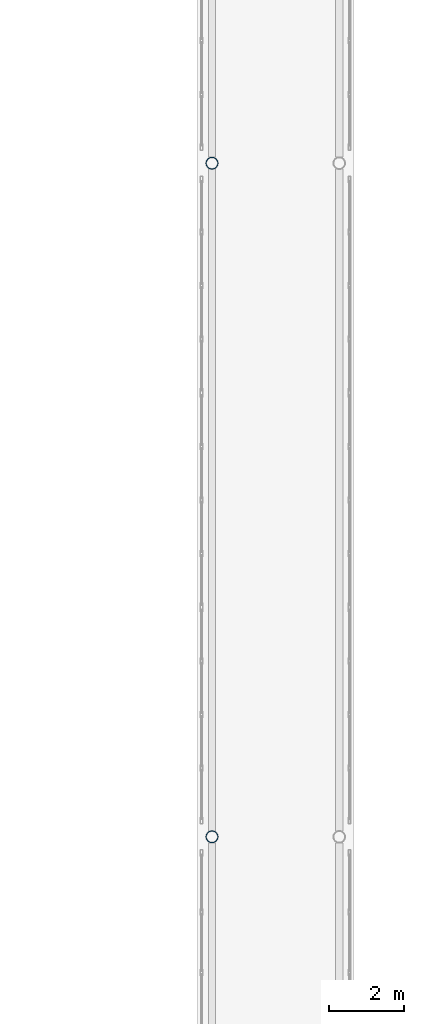
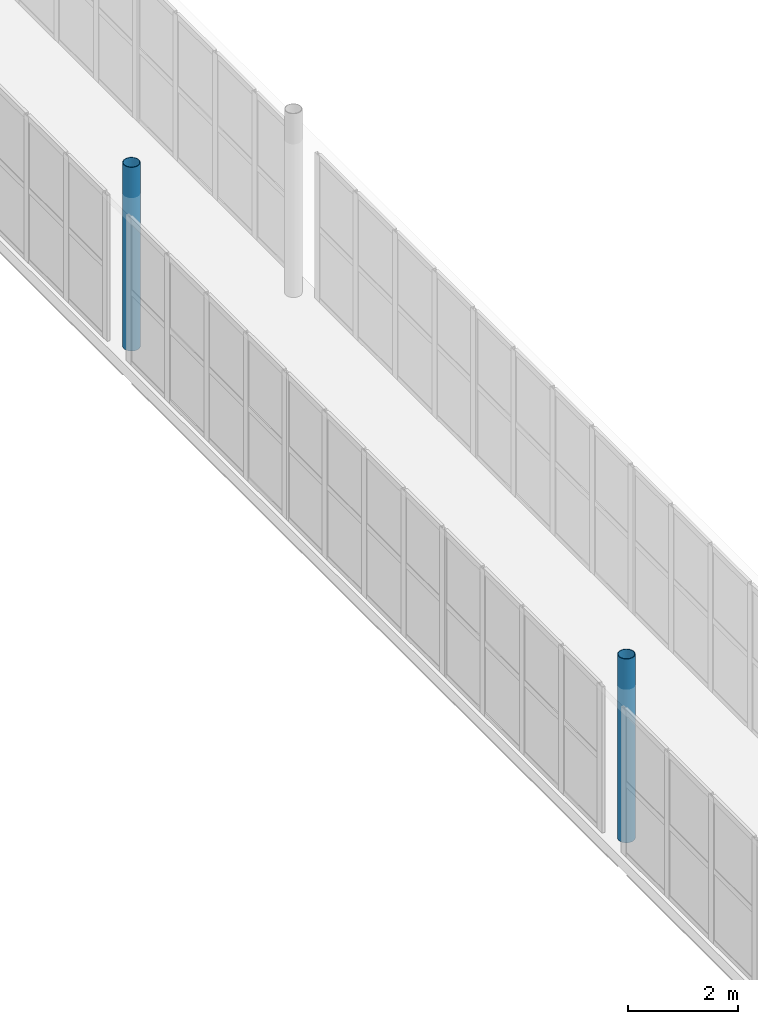
# One storey, part 4 of 146: 2 columns.
"""IFC4 building model written with IfcOpenShell, lengths in metres."""

import ifcopenshell
import ifcopenshell.guid

model = None  # the IFC model being written
_history = None  # IfcOwnerHistory: only IFC2X3 demands one
_inside = {}  # id of a spatial element -> (the spatial element, [elements in it])
_under = {}  # id of a project, library or spatial element -> (it, [spatial elements below it])
_declared = {}  # id of a project -> (the project, [libraries it declares])
_typed = {}  # id of a type object -> (the type object, [elements of that type])
_made_of = {}  # id of a material, layer set ... -> (it, [elements and type objects made of it])


def new_model(schema):
    """Start an empty IFC model of exactly this schema.

    Asked for "IFC4X3", IfcOpenShell would pick the latest addendum, in which some entities
    have other attributes; the version numbers below select the first issue.
    IFC2X3 requires an IfcOwnerHistory on every rooted entity: one is made here for all.
    """
    global model, _history
    if schema == "IFC4X3":
        model = ifcopenshell.file(schema_version=(4, 3, 0, 0))
    else:
        model = ifcopenshell.file(schema=schema)
    _inside.clear()
    _under.clear()
    _declared.clear()
    _typed.clear()
    _made_of.clear()
    _history = None
    if model.schema == "IFC2X3":
        org = make("IfcOrganization", Name="unknown")
        user = make(
            "IfcPersonAndOrganization",
            ThePerson=make("IfcPerson", FamilyName="unknown"),
            TheOrganization=org,
        )
        app = make(
            "IfcApplication",
            ApplicationDeveloper=org,
            Version="unknown",
            ApplicationFullName="unknown",
            ApplicationIdentifier="unknown",
        )
        _history = make(
            "IfcOwnerHistory",
            OwningUser=user,
            OwningApplication=app,
            ChangeAction="ADDED",
            CreationDate=0,
        )
    return model


def make(cls, **values):
    """One entity of the class cls with the attributes given. An attribute that is None is left unset."""
    return model.create_entity(
        cls, **{name: value for name, value in values.items() if value is not None}
    )


def rooted(cls, **values):
    """An entity with a GlobalId (a new one), such as an element, a storey or a relation."""
    return make(cls, GlobalId=ifcopenshell.guid.new(), OwnerHistory=_history, **values)


def si_unit(unit_type, name, prefix=None):
    """IfcSIUnit, for example si_unit("LENGTHUNIT", "METRE", prefix="MILLI")."""
    return make("IfcSIUnit", UnitType=unit_type, Prefix=prefix, Name=name)


def assignment(units):
    """IfcUnitAssignment: the units of a project."""
    return None if units is None else make("IfcUnitAssignment", Units=units)


def point(xyz):
    """IfcCartesianPoint."""
    return None if xyz is None else make("IfcCartesianPoint", Coordinates=xyz)


def direction(xyz):
    """IfcDirection."""
    return None if xyz is None else make("IfcDirection", DirectionRatios=xyz)


def frame(location, z_axis=None, x_axis=None):
    """IfcAxis2Placement3D, a coordinate frame: its origin and axes. An axis left out is left unset."""
    return make(
        "IfcAxis2Placement3D",
        Location=point(location),
        Axis=direction(z_axis),
        RefDirection=direction(x_axis),
    )


def frame_2d(location, x_axis=None):
    """IfcAxis2Placement2D, a coordinate frame in the plane: its origin and x axis."""
    return make(
        "IfcAxis2Placement2D", Location=point(location), RefDirection=direction(x_axis)
    )


def origin():
    """The frame at (0, 0, 0) with its axes left unset."""
    return frame((0.0, 0.0, 0.0))


def origin_2d():
    """The frame at (0, 0) in the plane with its x axis left unset."""
    return frame_2d((0.0, 0.0))


def place(relative_to, where):
    """IfcLocalPlacement: puts the frame where relative to a parent placement (None: the world)."""
    return make(
        "IfcLocalPlacement", PlacementRelTo=relative_to, RelativePlacement=where
    )


def context(
    kind, dimensions, precision=None, world=None, true_north=None, identifier=None
):
    """IfcGeometricRepresentationContext, for example the 3D "Model" context."""
    return make(
        "IfcGeometricRepresentationContext",
        ContextIdentifier=identifier,
        ContextType=kind,
        CoordinateSpaceDimension=dimensions,
        Precision=precision,
        WorldCoordinateSystem=world,
        TrueNorth=true_north,
    )


def subcontext(parent, identifier, kind, view, scale=None):
    """IfcGeometricRepresentationSubContext, for example "Body" below "Model"."""
    return make(
        "IfcGeometricRepresentationSubContext",
        ContextIdentifier=identifier,
        ContextType=kind,
        ParentContext=parent,
        TargetScale=scale,
        TargetView=view,
    )


def project(units=None, contexts=None):
    """IfcProject with its units and contexts."""
    return rooted(
        "IfcProject",
        Name="project",
        RepresentationContexts=contexts,
        UnitsInContext=assignment(units),
    )


def spatial(cls, under=None, at=None, **own):
    """A site, building, storey or space (cls), placed at a placement, below another one or the project."""
    s = rooted(cls, ObjectPlacement=at, **own)
    if under is not None:
        _under.setdefault(under.id(), (under, []))[1].append(s)
    return s


def profile(cls, at=None, kind="AREA", **sizes):
    """A parametric profile (cls). Its sizes go by their IFC names, for example OverallWidth=200.0."""
    return make(cls, ProfileType=kind, Position=at, **sizes)


def hollow_circle(**sizes):
    """IfcCircleHollowProfileDef."""
    return profile("IfcCircleHollowProfileDef", **sizes)


def extrude(swept, where, along, depth):
    """IfcExtrudedAreaSolid: the profile swept, set in the frame where, extruded along a direction by depth."""
    return make(
        "IfcExtrudedAreaSolid",
        SweptArea=swept,
        Position=where,
        ExtrudedDirection=direction(along),
        Depth=depth,
    )


def shape(context_of_items, identifier, shape_type, items):
    """IfcShapeRepresentation: the items that make up one representation, for example the "Body"."""
    return make(
        "IfcShapeRepresentation",
        ContextOfItems=context_of_items,
        RepresentationIdentifier=identifier,
        RepresentationType=shape_type,
        Items=items,
    )


def material(Name=None, Category=None):
    """IfcMaterial."""
    return make("IfcMaterial", Name=Name, Category=Category)


def material_profile(
    of_material, cross_section, Name=None, Category=None, Priority=None
):
    """IfcMaterialProfile: a cross section and its material."""
    return make(
        "IfcMaterialProfile",
        Name=Name,
        Material=of_material,
        Profile=cross_section,
        Priority=Priority,
        Category=Category,
    )


def profile_set(profiles, Name=None, composite=None):
    """IfcMaterialProfileSet."""
    return make(
        "IfcMaterialProfileSet",
        Name=Name,
        MaterialProfiles=profiles,
        CompositeProfile=composite,
    )


def made_of(thing, what):
    """Note that an element or type object is made of a material, layer set ...; save() writes the relation."""
    if what is not None:
        _made_of.setdefault(what.id(), (what, []))[1].append(thing)
    return thing


def type_object(cls, material=None, **own):
    """A type object (cls), such as IfcWallType, which elements share."""
    return made_of(rooted(cls, **own), material)


def element(
    cls,
    number,
    at=None,
    inside=None,
    cuts=None,
    type_object=None,
    material=None,
    context=None,
    identifier="Body",
    shape_type=None,
    held_by="IfcProductDefinitionShape",
    body=None,
    shapes=None,
    **own,
):
    """One element of the class cls, such as IfcWall. Its Tag is "e" and its number.

    at: its placement. inside: the storey or other place that contains it. cuts: it is an
    opening in that element (IfcRelVoidsElement). A single representation is given by context,
    identifier, shape_type and body (its items); several are given by shapes. held_by: the class
    of the entity that holds the representations. save() writes the other relations.
    """
    e = rooted(cls, Tag="e%d" % number, ObjectPlacement=at, **own)
    if body is not None:
        shapes = [shape(context, identifier, shape_type, body)]
    if shapes is not None:
        e.Representation = make(held_by, Representations=shapes)
    if inside is not None:
        _inside.setdefault(inside.id(), (inside, []))[1].append(e)
    if cuts is not None:
        rooted(
            "IfcRelVoidsElement", RelatingBuildingElement=cuts, RelatedOpeningElement=e
        )
    if type_object is not None:
        _typed.setdefault(type_object.id(), (type_object, []))[1].append(e)
    return made_of(e, material)


def aggregate(whole, parts):
    """IfcRelAggregates: a whole, such as a stair, and the parts it consists of."""
    return rooted("IfcRelAggregates", RelatingObject=whole, RelatedObjects=parts)


def save(model, path):
    """Write the relations noted so far, then the file.

    IfcRelAggregates (storeys below a building ...), IfcRelContainedInSpatialStructure (elements
    in a storey), IfcRelDefinesByType, IfcRelAssociatesMaterial and IfcRelDeclares: one each for
    every whole, place, type object, material and project.
    """
    for whole, parts in _under.values():
        aggregate(whole, parts)
    for where, things in _inside.values():
        rooted(
            "IfcRelContainedInSpatialStructure",
            RelatedElements=things,
            RelatingStructure=where,
        )
    for kind, things in _typed.values():
        rooted("IfcRelDefinesByType", RelatedObjects=things, RelatingType=kind)
    for what, things in _made_of.values():
        rooted("IfcRelAssociatesMaterial", RelatedObjects=things, RelatingMaterial=what)
    for by, libraries in _declared.values():
        rooted("IfcRelDeclares", RelatingContext=by, RelatedDefinitions=libraries)
    model.write(path)


model = new_model("IFC4")

# Units and contexts
model_context = context("Model", 3, precision=1e-05, world=origin(), true_north=direction((0.0, 1.0)))
body_context = subcontext(model_context, "Body", "Model", "MODEL_VIEW")
ifc_project = project(units=[si_unit("LENGTHUNIT", "METRE"), si_unit("AREAUNIT", "SQUARE_METRE"), si_unit("VOLUMEUNIT", "CUBIC_METRE"), si_unit("PLANEANGLEUNIT", "RADIAN"), si_unit("MASSUNIT", "GRAM", prefix="KILO")], contexts=[model_context])

# Site, building, storey
site_placement = place(None, origin())
site = spatial("IfcSite", under=ifc_project, at=site_placement, CompositionType="ELEMENT")
building_placement = place(site_placement, origin())
building = spatial("IfcBuilding", under=site, at=building_placement, Name="Valcora Specialist Clinic", CompositionType="ELEMENT")
storey_placement = place(building_placement, frame((0.0, 0.0, 9.52001953125)))
storey = spatial("IfcBuildingStorey", under=building, at=storey_placement, Name="L02", CompositionType="ELEMENT", Elevation=9.52001953125)

# Columns
ifc_material = material(Name="Steel ASTM A500 Grade C", Category="steel")
ifc_material_profile = material_profile(ifc_material, hollow_circle(Radius=0.162109375, WallThickness=0.011962890625, at=origin_2d()), Name="ST-CHS-324X12")
ifc_profile_set = profile_set([ifc_material_profile], Name="Steel ASTM A500 Grade C")
column_type = type_object("IfcColumnType", Name="TY-COL-CHS324", PredefinedType="COLUMN", material=ifc_profile_set)
for number, where, z_axis, x_axis, name in (
    (1, (61.60009765625, 38.0, 0.0), (0.0, 0.0, 1.0), (1.0, 0.0, 0.0), "Column COL-L02-0968"),
    (2, (61.60009765625, 56.0, 0.0), (0.0, 0.0, 1.0), (1.0, 0.0, 0.0), "Column COL-L02-0974"),
):
    element("IfcColumn", number, at=place(storey_placement, frame(where, z_axis=z_axis, x_axis=x_axis)), inside=storey, type_object=column_type, Name=name, PredefinedType="COLUMN", context=body_context, shape_type="SweptSolid", body=[
        extrude(hollow_circle(Radius=0.162109375, WallThickness=0.011962890625, at=origin_2d()), origin(), (0.0, 0.0, 1.0), 4.080078125),
    ])

save(model, "model.ifc")
